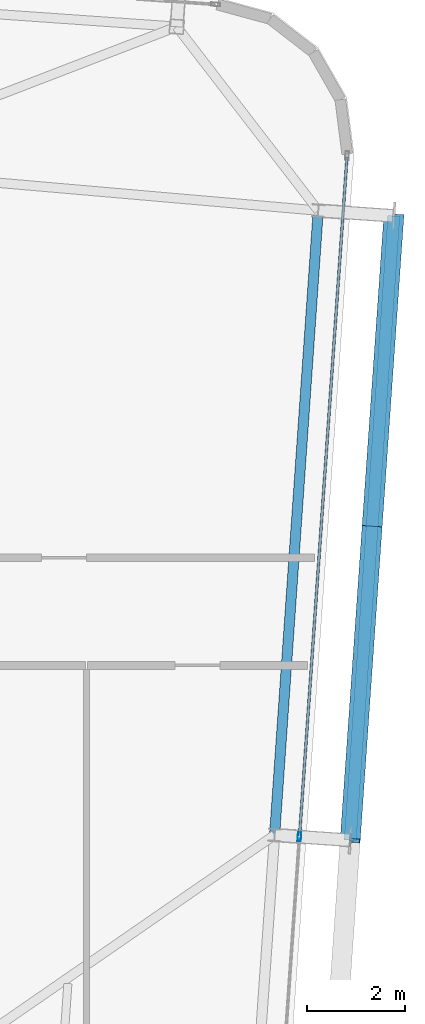
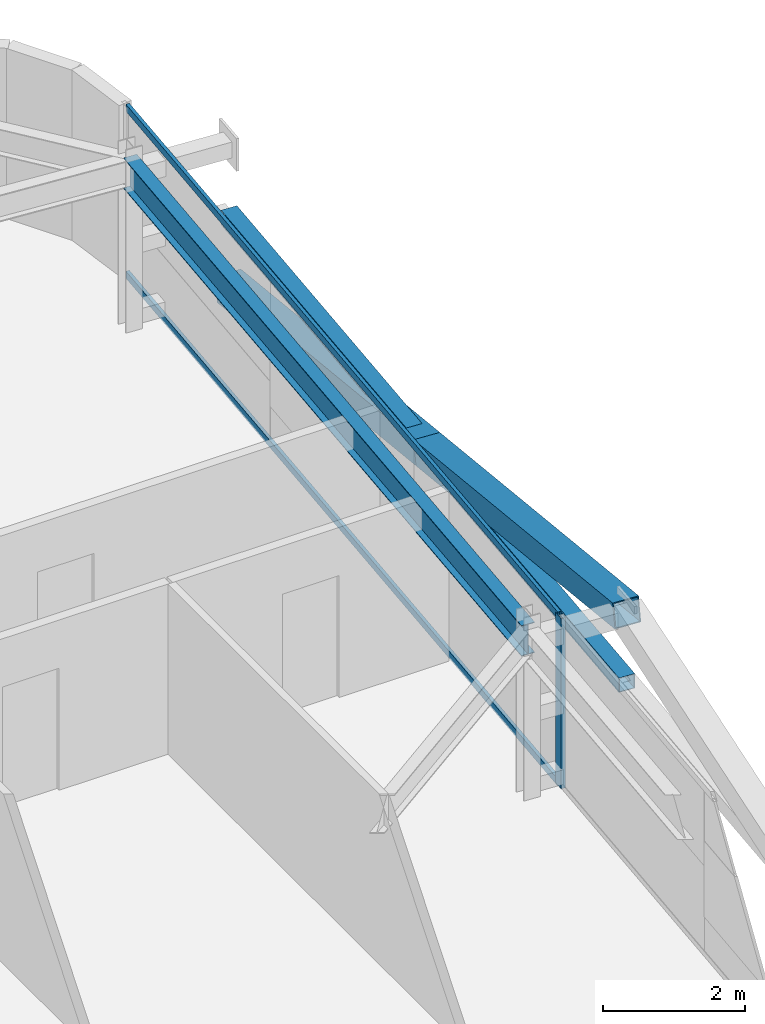
# One storey, part 17 of 39: 6 members, 1 beam, 1 element without a shape of its own.
"""IFC4 building model written with IfcOpenShell, lengths in metres."""

from ifc_helpers import new_model, si_unit, direction, frame, origin, origin_2d, place, context, subcontext, project, spatial, hollow_rectangle, i_section, extrude, source, transform, mapped, material, layer, layer_set, material_profile, profile_set, type_object, element, aggregate, save


model = new_model("IFC4")

# Units and contexts
model_context = context("Model", 3, precision=1e-05, world=origin(), true_north=direction((0.0, 1.0)))
body_context = subcontext(model_context, "Body", "Model", "MODEL_VIEW")
ifc_project = project(units=[si_unit("LENGTHUNIT", "METRE"), si_unit("AREAUNIT", "SQUARE_METRE"), si_unit("VOLUMEUNIT", "CUBIC_METRE"), si_unit("PLANEANGLEUNIT", "RADIAN"), si_unit("MASSUNIT", "GRAM", prefix="KILO")], contexts=[model_context])

# Site, building, storey
site_placement = place(None, origin())
site = spatial("IfcSite", under=ifc_project, at=site_placement, CompositionType="ELEMENT")
building_placement = place(site_placement, origin())
building = spatial("IfcBuilding", under=site, at=building_placement, Name="Taldren Reach Tower", CompositionType="ELEMENT")
storey_placement = place(building_placement, frame((0.0, 0.0, 133.0)))
storey = spatial("IfcBuildingStorey", under=building, at=storey_placement, Name="L40", CompositionType="ELEMENT", Elevation=133.0)

# Beam
ifc_material_1 = material(Name="Steel Gr 350 (350PLUS)", Category="steel")
ifc_material_profile_1 = material_profile(ifc_material_1, i_section(OverallWidth=0.208984375, OverallDepth=0.528076171875, WebThickness=0.009521484375, FlangeThickness=0.01318359375, at=origin_2d()), Name="530UB82.0")
ifc_profile_set_1 = profile_set([ifc_material_profile_1], Name="Steel Gr 350 (350PLUS)")
beam_type = type_object("IfcBeamType", Name="SP-UB530B", PredefinedType="SPANDREL", material=ifc_profile_set_1)
shared_shape_1 = source(origin(), body_context, "Body", "SweptSolid", [
    extrude(i_section(OverallWidth=0.208984375, OverallDepth=0.528076171875, WebThickness=0.009521484375, FlangeThickness=0.01318359375, at=origin_2d()), origin(), (0.0, 0.0, 1.0), 12.800048828125),
])
beam_placement = place(storey_placement, frame((60.438232421875, 18.331787109375, 2.666015625), z_axis=(0.069751876777, 0.9975643717, 0.0), x_axis=(-0.9975643717, 0.069751876777, 0.0)))
element("IfcBeam", 1, at=beam_placement, inside=storey, type_object=beam_type, Name="Perimeter spandrel B3 E2-E3 L40", PredefinedType="SPANDREL", context=body_context, shape_type="MappedRepresentation", body=[
    mapped(shared_shape_1, transform((0.0, 0.0, 0.0), scale=1.0)),
])

# Members
ifc_material_2 = material(Name="Steel Gr 350 (C350L0)", Category="steel")
ifc_material_profile_2 = material_profile(ifc_material_2, hollow_rectangle(XDim=0.25, YDim=0.25, WallThickness=0.010009765625, at=origin_2d()), Name="250x250x10.0SHS")
ifc_profile_set_2 = profile_set([ifc_material_profile_2], Name="Steel Gr 350 (C350L0)")
member_type_1 = type_object("IfcMemberType", Name="MB-POST250", PredefinedType="POST", material=ifc_profile_set_2)
shared_shape_2 = source(origin(), body_context, "Body", "SweptSolid", [
    extrude(hollow_rectangle(XDim=0.25, YDim=0.25, WallThickness=0.010009765625, at=origin_2d()), origin(), (0.0, 0.0, 1.0), 12.800048828125),
])
member_1_placement = place(storey_placement, frame((61.984375, 18.2236328125, 1.43505859375), z_axis=(0.069770857464, 0.997563044348, 0.0), x_axis=(-0.997563044348, 0.069770857464, 0.0)))
element("IfcMember", 2, at=member_1_placement, inside=storey, type_object=member_type_1, Name="Exoskeleton mid-height ring chord B3-E2 L40", PredefinedType="POST", context=body_context, shape_type="MappedRepresentation", body=[
    mapped(shared_shape_2, transform((0.0, 0.0, 0.0), scale=1.0)),
])
ifc_material_3 = material(Name="Steel Gr 450 (C450L0)", Category="steel")
ifc_material_profile_3 = material_profile(ifc_material_3, hollow_rectangle(XDim=0.409912109375, YDim=0.409912109375, WallThickness=0.01611328125, at=origin_2d()), Name="410x410x16.0SHS")
ifc_profile_set_3 = profile_set([ifc_material_profile_3], Name="Steel Gr 450 (C450L0)")
member_type_2 = type_object("IfcMemberType", Name="MB-EXO406", PredefinedType="BRACE", material=ifc_profile_set_3)
shared_shape_3 = source(origin(), body_context, "Body", "SweptSolid", [
    extrude(hollow_rectangle(XDim=0.409912109375, YDim=0.409912109375, WallThickness=0.01611328125, at=origin_2d()), origin(), (0.0, 0.0, 1.0), 6.514404296875),
])
member_2_placement = place(storey_placement, frame((62.87744140625, 30.992431640625, 0.219970703125), z_axis=(-0.068545126831, -0.980056649402, 0.186522195865), x_axis=(0.997563137195, -0.069769529958, 0.0)))
element("IfcMember", 3, at=member_2_placement, inside=storey, type_object=member_type_2, Name="Exoskeleton Diagrid Brace B3-E2 L40", PredefinedType="BRACE", context=body_context, shape_type="MappedRepresentation", body=[
    mapped(shared_shape_3, transform((0.0, 0.0, 0.0), scale=1.0)),
])
shared_shape_4 = source(origin(), body_context, "Body", "SweptSolid", [
    extrude(hollow_rectangle(XDim=0.409912109375, YDim=0.409912109375, WallThickness=0.01611328125, at=origin_2d()), origin(), (0.0, 0.0, 1.0), 6.51416015625),
])
member_3_placement = place(storey_placement, frame((62.430908203125, 24.60791015625, 1.43505859375), z_axis=(-0.068548123702, -0.980062020128, 0.186492872358), x_axis=(0.997562951496, -0.069772185021, 0.0)))
element("IfcMember", 4, at=member_3_placement, inside=storey, type_object=member_type_2, Name="Exoskeleton Diagrid Brace B3-E2 L40", PredefinedType="BRACE", context=body_context, shape_type="MappedRepresentation", body=[
    mapped(shared_shape_4, transform((0.0, 0.0, 0.0), scale=1.0)),
])

# Curtain wall, members
ifc_material_4 = material(Name="Aluminium and Low-E Glass Unitised System", Category="aluminium")
ifc_layer = layer(ifc_material_4, 0.159912109375)
ifc_layer_set = layer_set([ifc_layer], Name="Aluminium and Low-E Glass Unitised System")
curtain_wall_type = type_object("IfcCurtainWallType", Name="CW-SYS-4", PredefinedType="NOTDEFINED", material=ifc_layer_set)
curtain_wall_placement = place(storey_placement, origin())
curtain_wall = element("IfcCurtainWall", 5, at=curtain_wall_placement, inside=storey, type_object=curtain_wall_type, Name="Unitised curtain wall CW-L40-E", PredefinedType="NOTDEFINED")
ifc_material_5 = material(Name="Anodised Aluminium 6063-T6", Category="aluminium")
ifc_material_profile_4 = material_profile(ifc_material_5, hollow_rectangle(XDim=0.054931640625, YDim=0.1201171875, WallThickness=0.0029296875, at=origin_2d()), Name="ALU-120x55x3RHS")
ifc_profile_set_4 = profile_set([ifc_material_profile_4], Name="Anodised Aluminium 6063-T6")
member_type_3 = type_object("IfcMemberType", Name="CW-TRN-135", PredefinedType="USERDEFINED", material=ifc_profile_set_4)
shared_shape_5 = source(origin(), body_context, "Body", "SweptSolid", [
    extrude(hollow_rectangle(XDim=0.054931640625, YDim=0.1201171875, WallThickness=0.0029296875, at=origin_2d()), origin(), (0.0, 0.0, 1.0), 13.89501953125),
])
member_4_placement = place(storey_placement, frame((60.949462890625, 18.3310546875, 0.027587890625), z_axis=(0.069754817075, 0.997564166104, 0.0), x_axis=(-0.997564166104, 0.069754817075, 0.0)))
member_4 = element("IfcMember", 6, at=member_4_placement, type_object=member_type_3, Name="CW-4 transom 2.1", ObjectType="TRANSOM", PredefinedType="USERDEFINED", context=body_context, shape_type="MappedRepresentation", body=[
    mapped(shared_shape_5, transform((0.0, 0.0, 0.0), scale=1.0)),
])
member_5_placement = place(storey_placement, frame((60.949462890625, 18.3310546875, 2.902587890625), z_axis=(0.069754817075, 0.997564166104, 0.0), x_axis=(-0.997564166104, 0.069754817075, 0.0)))
member_5 = element("IfcMember", 7, at=member_5_placement, type_object=member_type_3, Name="CW-4 transom 2.2", ObjectType="TRANSOM", PredefinedType="USERDEFINED", context=body_context, shape_type="MappedRepresentation", body=[
    mapped(shared_shape_5, transform((0.0, 0.0, 0.0), scale=1.0)),
])
ifc_material_profile_5 = material_profile(ifc_material_5, hollow_rectangle(XDim=0.070068359375, YDim=0.179931640625, WallThickness=0.00390625, at=origin_2d()), Name="ALU-180x70x4RHS")
ifc_profile_set_5 = profile_set([ifc_material_profile_5], Name="Anodised Aluminium 6063-T6")
member_type_4 = type_object("IfcMemberType", Name="CW-MUL-180", PredefinedType="MULLION", material=ifc_profile_set_5)
shared_shape_6 = source(origin(), body_context, "Body", "SweptSolid", [
    extrude(hollow_rectangle(XDim=0.070068359375, YDim=0.179931640625, WallThickness=0.00390625, at=origin_2d()), origin(), (0.0, 0.0, 1.0), 2.929931640625),
])
member_6_placement = place(storey_placement, frame((60.947021484375, 18.296142578125, 0.0), z_axis=(0.0, 0.0, 1.0), x_axis=(-0.997564052812, 0.069756437251, 0.0)))
member_6 = element("IfcMember", 8, at=member_6_placement, type_object=member_type_4, Name="CW-4 mullion 2", PredefinedType="MULLION", context=body_context, shape_type="MappedRepresentation", body=[
    mapped(shared_shape_6, transform((0.0, 0.0, 0.0), scale=1.0)),
])
aggregate(curtain_wall, [member_6, member_4, member_5])

save(model, "model.ifc")
